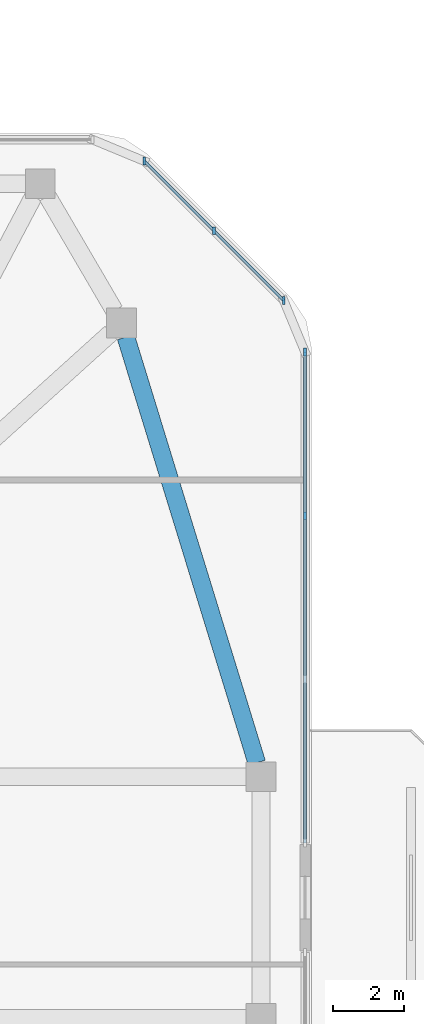
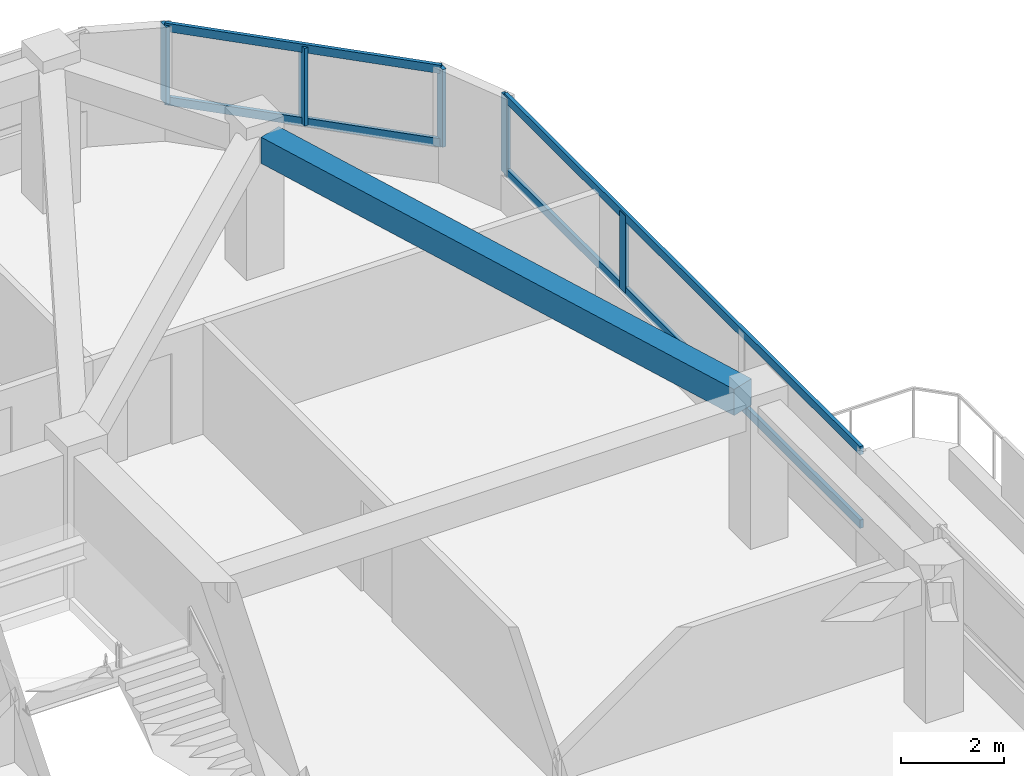
# One storey, part 7 of 14: 9 members, 1 beam, 2 elements without a shape of their own.
"""IFC4 building model written with IfcOpenShell, lengths in metres."""

from ifc_helpers import new_model, si_unit, derived_unit, direction, frame, origin, origin_2d, place, context, subcontext, project, spatial, rectangle, extrude, material, material_profile, profile_set, type_object, element, aggregate, save


model = new_model("IFC4")

# Units and contexts
model_context = context("Model", 3, precision=1e-05, world=origin(), true_north=direction((0.0, 1.0)))
body_context = subcontext(model_context, "Body", "Model", "MODEL_VIEW")
ifc_project = project(units=[si_unit("LENGTHUNIT", "METRE"), si_unit("AREAUNIT", "SQUARE_METRE"), si_unit("VOLUMEUNIT", "CUBIC_METRE"), si_unit("PLANEANGLEUNIT", "RADIAN"), si_unit("MASSUNIT", "GRAM", prefix="KILO"), derived_unit("THERMALTRANSMITTANCEUNIT", [(si_unit("POWERUNIT", "WATT"), 1), (si_unit("LENGTHUNIT", "METRE"), -2), (si_unit("THERMODYNAMICTEMPERATUREUNIT", "KELVIN"), -1)])], contexts=[model_context])

# Site, building, storey
site_placement = place(None, origin())
site = spatial("IfcSite", under=ifc_project, at=site_placement, CompositionType="ELEMENT")
building_placement = place(site_placement, origin())
building = spatial("IfcBuilding", under=site, at=building_placement, Name="Koralith Skygarden Medical Center", CompositionType="ELEMENT")
storey_placement = place(building_placement, frame((0.0, 0.0, 246.419921875)))
storey = spatial("IfcBuildingStorey", under=building, at=storey_placement, Name="L63", CompositionType="ELEMENT", Elevation=246.419921875)

# Curtain wall, members
ifc_material_1 = material(Name="Clear Laminated Glass", Category="glass")
curtain_wall_type = type_object("IfcCurtainWallType", Name="CW-6 Zone 5 Upper Clinical Curtain Wall", PredefinedType="NOTDEFINED", material=ifc_material_1)
curtain_wall_1_placement = place(storey_placement, origin())
curtain_wall_1 = element("IfcCurtainWall", 1, at=curtain_wall_1_placement, inside=storey, type_object=curtain_wall_type, Name="Curtain Wall CW-L63-E-R", PredefinedType="NOTDEFINED")
ifc_material_2 = material(Name="Aluminium 6063-T6", Category="aluminium")
ifc_material_profile_1 = material_profile(ifc_material_2, rectangle(XDim=0.0830078125, YDim=0.219970703125, at=origin_2d()), Name="MUL83X220")
ifc_profile_set_1 = profile_set([ifc_material_profile_1], Name="Aluminium 6063-T6")
member_type_1 = type_object("IfcMemberType", Name="CW-6 Extruded Mullion 83x220", PredefinedType="MULLION", material=ifc_profile_set_1)
member_1_placement = place(storey_placement, frame((61.719970703125, 36.64306640625, 0.85009765625), z_axis=(0.0, 0.0, 1.0), x_axis=(1.0, 0.0, 0.0)))
member_1 = element("IfcMember", 2, at=member_1_placement, type_object=member_type_1, Name="CW-L63-E-R Mullion 3", PredefinedType="MULLION", context=body_context, shape_type="SweptSolid", body=[
    extrude(rectangle(XDim=0.0830078125, YDim=0.219970703125, at=origin_2d()), origin(), (0.0, 0.0, 1.0), 1.840087890625),
])
member_2_placement = place(storey_placement, frame((61.719970703125, 41.2451171875, 0.85009765625), z_axis=(0.0, 0.0, 1.0), x_axis=(1.0, 0.0, 0.0)))
member_2 = element("IfcMember", 3, at=member_2_placement, type_object=member_type_1, Name="CW-L63-E-R Mullion 4", PredefinedType="MULLION", context=body_context, shape_type="SweptSolid", body=[
    extrude(rectangle(XDim=0.0830078125, YDim=0.219970703125, at=origin_2d()), origin(), (0.0, 0.0, 1.0), 1.840087890625),
])

curtain_wall_2_placement = place(storey_placement, origin())
curtain_wall_2 = element("IfcCurtainWall", 4, at=curtain_wall_2_placement, inside=storey, type_object=curtain_wall_type, Name="Curtain Wall CW-L63-NE", PredefinedType="NOTDEFINED")
member_3_placement = place(storey_placement, frame((61.118896484375, 42.696044921875, 0.85009765625), z_axis=(0.0, 0.0, 1.0), x_axis=(1.0, 0.0, 0.0)))
member_3 = element("IfcMember", 5, at=member_3_placement, type_object=member_type_1, Name="CW-L63-NE Mullion 1", PredefinedType="MULLION", context=body_context, shape_type="SweptSolid", body=[
    extrude(rectangle(XDim=0.0830078125, YDim=0.219970703125, at=origin_2d()), origin(), (0.0, 0.0, 1.0), 1.840087890625),
])
member_4_placement = place(storey_placement, frame((59.156982421875, 44.656982421875, 0.85009765625), z_axis=(0.0, 0.0, 1.0), x_axis=(1.0, 0.0, 0.0)))
member_4 = element("IfcMember", 6, at=member_4_placement, type_object=member_type_1, Name="CW-L63-NE Mullion 2", PredefinedType="MULLION", context=body_context, shape_type="SweptSolid", body=[
    extrude(rectangle(XDim=0.0830078125, YDim=0.219970703125, at=origin_2d()), origin(), (0.0, 0.0, 1.0), 1.840087890625),
])
member_5_placement = place(storey_placement, frame((57.196044921875, 46.618896484375, 0.85009765625), z_axis=(0.0, 0.0, 1.0), x_axis=(1.0, 0.0, 0.0)))
member_5 = element("IfcMember", 7, at=member_5_placement, type_object=member_type_1, Name="CW-L63-NE Mullion 3", PredefinedType="MULLION", context=body_context, shape_type="SweptSolid", body=[
    extrude(rectangle(XDim=0.0830078125, YDim=0.219970703125, at=origin_2d()), origin(), (0.0, 0.0, 1.0), 1.840087890625),
])

# Member
ifc_material_profile_2 = material_profile(ifc_material_2, rectangle(XDim=0.077880859375, YDim=0.197998046875, at=origin_2d()), Name="TRN78X198")
ifc_profile_set_2 = profile_set([ifc_material_profile_2], Name="Aluminium 6063-T6")
member_type_2 = type_object("IfcMemberType", Name="CW-6 Thermal Transom 78x198", PredefinedType="USERDEFINED", material=ifc_profile_set_2)
member_6_placement = place(storey_placement, frame((61.719970703125, 27.43994140625, 0.900146484375), z_axis=(0.0, 1.0, 0.0), x_axis=(-1.0, 0.0, 0.0)))
member_6 = element("IfcMember", 8, at=member_6_placement, type_object=member_type_2, Name="CW-L63-E-R Transom 1", ObjectType="TRANSOM", PredefinedType="USERDEFINED", context=body_context, shape_type="SweptSolid", body=[
    extrude(rectangle(XDim=0.077880859375, YDim=0.197998046875, at=origin_2d()), origin(), (0.0, 0.0, 1.0), 13.80517578125),
])

member_7_placement = place(storey_placement, frame((61.719970703125, 27.43994140625, 2.64013671875), z_axis=(0.0, 1.0, 0.0), x_axis=(-1.0, 0.0, 0.0)))
member_7 = element("IfcMember", 9, at=member_7_placement, type_object=member_type_2, Name="CW-L63-E-R Transom 2", ObjectType="TRANSOM", PredefinedType="USERDEFINED", context=body_context, shape_type="SweptSolid", body=[
    extrude(rectangle(XDim=0.077880859375, YDim=0.197998046875, at=origin_2d()), origin(), (0.0, 0.0, 1.0), 13.80517578125),
])

aggregate(curtain_wall_1, [member_1, member_2, member_6, member_7])

member_8_placement = place(storey_placement, frame((61.118896484375, 42.696044921875, 0.900146484375), z_axis=(-0.707106781187, 0.707106781187, 0.0), x_axis=(-0.707106781187, -0.707106781187, 0.0)))
member_8 = element("IfcMember", 10, at=member_8_placement, type_object=member_type_2, Name="CW-L63-NE Transom 1", ObjectType="TRANSOM", PredefinedType="USERDEFINED", context=body_context, shape_type="SweptSolid", body=[
    extrude(rectangle(XDim=0.077880859375, YDim=0.197998046875, at=origin_2d()), origin(), (0.0, 0.0, 1.0), 5.5478515625),
])

member_9_placement = place(storey_placement, frame((61.118896484375, 42.696044921875, 2.64013671875), z_axis=(-0.707106781187, 0.707106781187, 0.0), x_axis=(-0.707106781187, -0.707106781187, 0.0)))
member_9 = element("IfcMember", 11, at=member_9_placement, type_object=member_type_2, Name="CW-L63-NE Transom 2", ObjectType="TRANSOM", PredefinedType="USERDEFINED", context=body_context, shape_type="SweptSolid", body=[
    extrude(rectangle(XDim=0.077880859375, YDim=0.197998046875, at=origin_2d()), origin(), (0.0, 0.0, 1.0), 5.5478515625),
])

aggregate(curtain_wall_2, [member_3, member_4, member_5, member_8, member_9])

# Beam
ifc_material_3 = material(Name="Concrete C45/55", Category="concrete")
ifc_material_profile_3 = material_profile(ifc_material_3, rectangle(XDim=0.5, YDim=0.6201171875, at=origin_2d()), Name="RCB500X620")
ifc_profile_set_3 = profile_set([ifc_material_profile_3], Name="Concrete C45/55")
beam_type = type_object("IfcBeamType", Name="Zone 4-5 Spandrel Beam RCB500X620", PredefinedType="SPANDREL", material=ifc_profile_set_3)
beam_placement = place(storey_placement, frame((60.360107421875, 29.69189453125, 3.010009765625), z_axis=(-0.293738023424, 0.955885962652, 0.0), x_axis=(-0.955885962652, -0.293738023424, 0.0)))
element("IfcBeam", 12, at=beam_placement, inside=storey, type_object=beam_type, Name="L63 Perimeter Spandrel Beam SP-09", PredefinedType="SPANDREL", context=body_context, shape_type="SweptSolid", body=[
    extrude(rectangle(XDim=0.5, YDim=0.6201171875, at=origin_2d()), origin(), (0.0, 0.0, 1.0), 12.52880859375),
])

save(model, "model.ifc")
